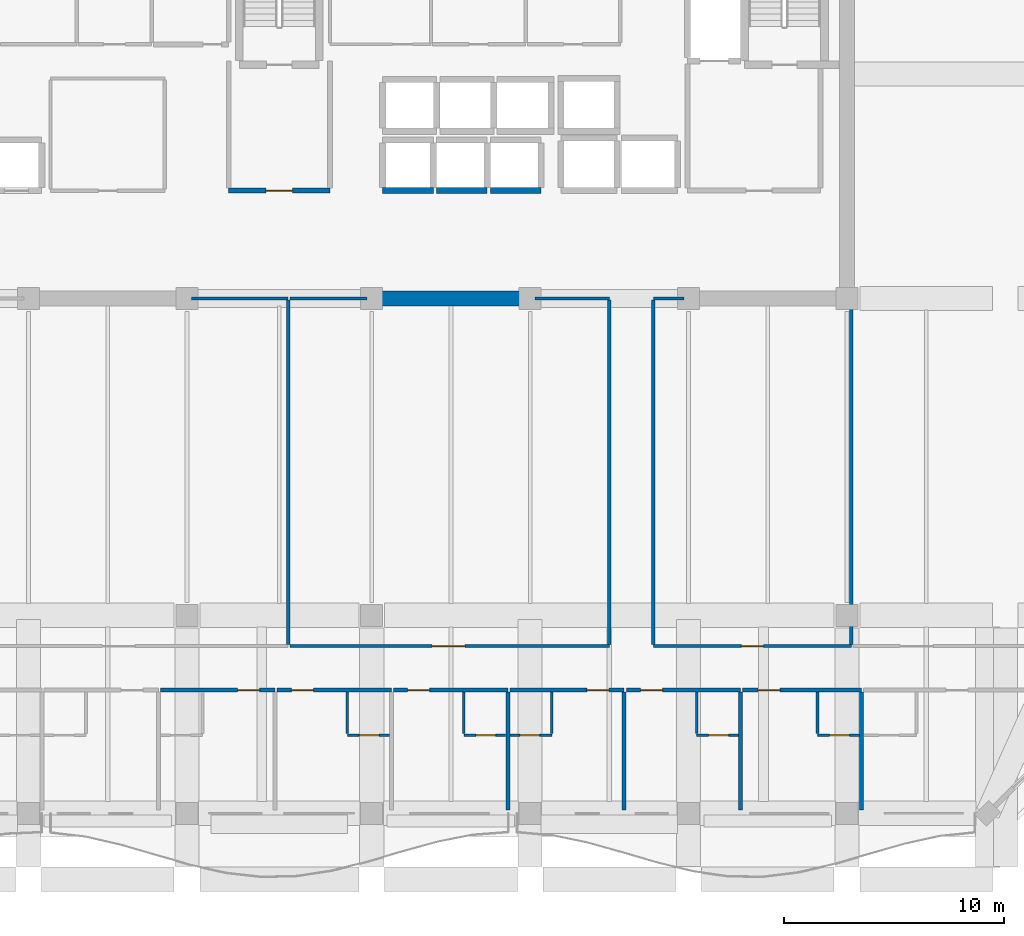
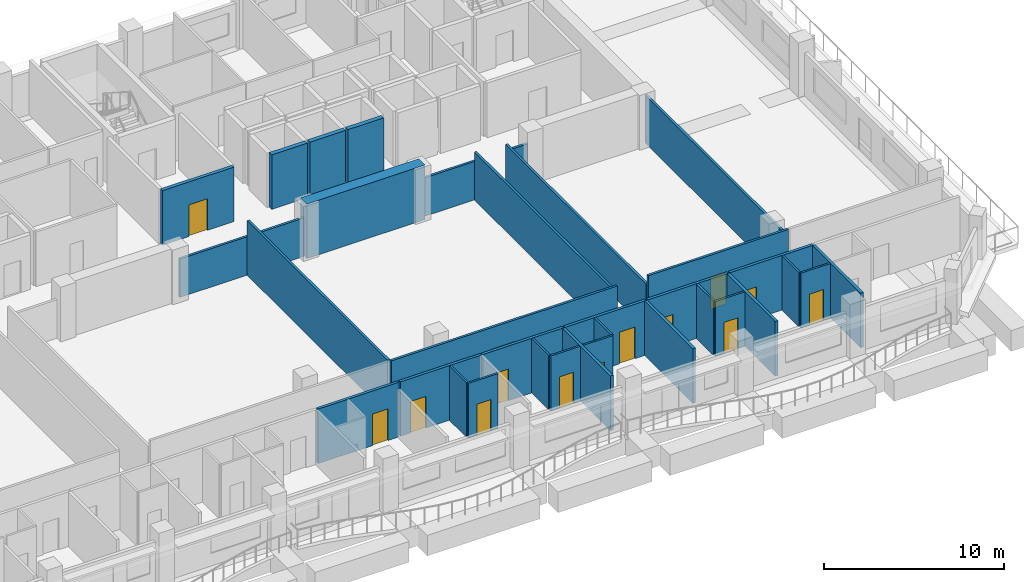
# One storey, part 6 of 13: 35 walls, 14 doors, 14 openings.
"""IFC4 building model written with IfcOpenShell, lengths in metres."""

from ifc_helpers import new_model, si_unit, direction, frame, frame_2d, origin, place, context, subcontext, project, spatial, rectangle, extrude, material, layer, layer_set, type_object, element, fill, save


model = new_model("IFC4")

# Units and contexts
model_context = context("Model", 3, precision=1e-05, world=origin(), true_north=direction((0.0, 1.0)))
body_context = subcontext(model_context, "Body", "Model", "MODEL_VIEW")
ifc_project = project(units=[si_unit("LENGTHUNIT", "METRE"), si_unit("AREAUNIT", "SQUARE_METRE"), si_unit("VOLUMEUNIT", "CUBIC_METRE"), si_unit("PLANEANGLEUNIT", "RADIAN"), si_unit("MASSUNIT", "GRAM", prefix="KILO")], contexts=[model_context])

# Site, building, storey
site_placement = place(None, origin())
site = spatial("IfcSite", under=ifc_project, at=site_placement, CompositionType="ELEMENT")
building_placement = place(site_placement, origin())
building = spatial("IfcBuilding", under=site, at=building_placement, Name="Kaelvorn Grand Hotel", CompositionType="ELEMENT")
storey_placement = place(building_placement, frame((0.0, 0.0, 229.14990234375)))
storey = spatial("IfcBuildingStorey", under=building, at=storey_placement, Name="L56", CompositionType="ELEMENT", Elevation=229.14990234375)

# Wall
ifc_material_1 = material(Name="Concrete C50/60", Category="concrete")
ifc_layer_1 = layer(ifc_material_1, 0.699951171875)
ifc_layer_set_1 = layer_set([ifc_layer_1], Name="Concrete C50/60")
wall_type_1 = type_object("IfcWallType", Name="WL-CORE-700-C50", PredefinedType="SHEAR", material=ifc_layer_set_1)
wall_1_placement = place(storey_placement, frame((46.0, 29.39990234375, 0.0), z_axis=(0.0, 0.0, 1.0), x_axis=(1.0, 0.0, 0.0)))
element("IfcWall", 1, at=wall_1_placement, inside=storey, type_object=wall_type_1, Name="L56 Rear-Core Coupled Shear Pier S3", PredefinedType="SHEAR", context=body_context, shape_type="SweptSolid", body=[
    extrude(rectangle(XDim=7.60009765625, YDim=0.699951171875, at=frame_2d((3.800048828125, 0.0))), origin(), (0.0, 0.0, 1.0), 3.710205078125),
])

# Wall, opening, door
ifc_material_2 = material(Name="Moisture-Resistant Tile & Stud Board")
ifc_layer_2 = layer(ifc_material_2, 0.125)
ifc_layer_set_2 = layer_set([ifc_layer_2], Name="Moisture-Resistant Tile & Stud Board")
wall_type_2 = type_object("IfcWallType", Name="WL-PART-125-WET", PredefinedType="PARTITIONING", material=ifc_layer_set_2)
wall_2_placement = place(storey_placement, frame((45.092041015625, 9.550048828125, 0.0), z_axis=(0.0, 0.0, 1.0), x_axis=(1.0, 0.0, 0.0)))
wall_2 = element("IfcWall", 2, at=wall_2_placement, inside=storey, type_object=wall_type_2, Name="L56 En-suite Bathroom L56-07 S Partition", PredefinedType="PARTITIONING", context=body_context, shape_type="SweptSolid", body=[
    extrude(rectangle(XDim=1.905029296875, YDim=0.125, at=frame_2d((0.95263671875, 0.0))), origin(), (0.0, 0.0, 1.0), 3.710205078125),
])
opening_1_placement = place(wall_2_placement, frame((0.550048828125, 0.0, 0.0)))
opening_1 = element("IfcOpeningElement", 3, at=opening_1_placement, cuts=wall_2, Name="Opening DI4", PredefinedType="OPENING", context=body_context, shape_type="SweptSolid", body=[
    extrude(rectangle(XDim=0.89990234375, YDim=2.10009765625, at=frame_2d((0.449951171875, 1.050048828125))), frame((0.0, 0.072509765625, 0.0), z_axis=(0.0, -1.0, 0.0), x_axis=(1.0, 0.0, 0.0)), (0.0, 0.0, 1.0), 0.14501953125),
])
ifc_material_3 = material(Name="Timber Veneer Leaf", Category="wood")
door_type_1 = type_object("IfcDoorType", Name="DR-INT-BATH-900x2100", OperationType="NOTDEFINED", PredefinedType="DOOR", material=ifc_material_3)
door_1_placement = place(opening_1_placement, origin())
door_1 = element("IfcDoor", 4, at=door_1_placement, inside=storey, type_object=door_type_1, Name="L56 En-suite Bathroom L56-07 Door", OperationType="SINGLE_SWING_RIGHT", OverallHeight=2.10009765625, OverallWidth=0.89990234375, PredefinedType="DOOR", context=body_context, shape_type="SweptSolid", body=[
    extrude(rectangle(XDim=0.89990234375, YDim=2.10009765625, at=frame_2d((0.449951171875, 1.050048828125))), frame((0.0, 0.02490234375, 0.0), z_axis=(0.0, -1.0, 0.0), x_axis=(1.0, 0.0, 0.0)), (0.0, 0.0, 1.0), 0.050048828125),
])
fill(opening_1, door_1)

# Wall
wall_3_placement = place(storey_placement, frame((45.092041015625, 9.617431640625, 0.0), z_axis=(0.0, 0.0, 1.0), x_axis=(0.0, 1.0, 0.0)))
element("IfcWall", 5, at=wall_3_placement, inside=storey, type_object=wall_type_2, Name="L56 En-suite Bathroom L56-07 W Partition", PredefinedType="PARTITIONING", context=body_context, shape_type="SweptSolid", body=[
    extrude(rectangle(XDim=1.887451171875, YDim=0.125, at=frame_2d((0.94384765625, 0.0))), origin(), (0.0, 0.0, 1.0), 3.710205078125),
])

# Wall, opening, door
wall_4_placement = place(storey_placement, frame((50.3837890625, 9.550048828125, 0.0), z_axis=(0.0, 0.0, 1.0), x_axis=(1.0, 0.0, 0.0)))
wall_4 = element("IfcWall", 6, at=wall_4_placement, inside=storey, type_object=wall_type_2, Name="L56 En-suite Bathroom L56-08 S Partition", PredefinedType="PARTITIONING", context=body_context, shape_type="SweptSolid", body=[
    extrude(rectangle(XDim=1.905029296875, YDim=0.125, at=frame_2d((0.95263671875, 0.0))), origin(), (0.0, 0.0, 1.0), 3.710205078125),
])
opening_2_placement = place(wall_4_placement, frame((0.550048828125, 0.0, 0.0)))
opening_2 = element("IfcOpeningElement", 7, at=opening_2_placement, cuts=wall_4, Name="Opening DI4", PredefinedType="OPENING", context=body_context, shape_type="SweptSolid", body=[
    extrude(rectangle(XDim=0.89990234375, YDim=2.10009765625, at=frame_2d((0.449951171875, 1.050048828125))), frame((0.0, 0.072509765625, 0.0), z_axis=(0.0, -1.0, 0.0), x_axis=(1.0, 0.0, 0.0)), (0.0, 0.0, 1.0), 0.14501953125),
])
door_2_placement = place(opening_2_placement, origin())
door_2 = element("IfcDoor", 8, at=door_2_placement, inside=storey, type_object=door_type_1, Name="L56 En-suite Bathroom L56-08 Door", OperationType="SINGLE_SWING_RIGHT", OverallHeight=2.10009765625, OverallWidth=0.89990234375, PredefinedType="DOOR", context=body_context, shape_type="SweptSolid", body=[
    extrude(rectangle(XDim=0.89990234375, YDim=2.10009765625, at=frame_2d((0.449951171875, 1.050048828125))), frame((0.0, 0.02490234375, 0.0), z_axis=(0.0, -1.0, 0.0), x_axis=(1.0, 0.0, 0.0)), (0.0, 0.0, 1.0), 0.050048828125),
])
fill(opening_2, door_2)

# Wall
wall_5_placement = place(storey_placement, frame((50.3837890625, 9.617431640625, 0.0), z_axis=(0.0, 0.0, 1.0), x_axis=(0.0, 1.0, 0.0)))
element("IfcWall", 9, at=wall_5_placement, inside=storey, type_object=wall_type_2, Name="L56 En-suite Bathroom L56-08 W Partition", PredefinedType="PARTITIONING", context=body_context, shape_type="SweptSolid", body=[
    extrude(rectangle(XDim=1.887451171875, YDim=0.125, at=frame_2d((0.94384765625, 0.0))), origin(), (0.0, 0.0, 1.0), 3.710205078125),
])

# Wall, opening, door
wall_6_placement = place(storey_placement, frame((52.478759765625, 9.550048828125, 0.0), z_axis=(0.0, 0.0, 1.0), x_axis=(1.0, 0.0, 0.0)))
wall_6 = element("IfcWall", 10, at=wall_6_placement, inside=storey, type_object=wall_type_2, Name="L56 En-suite Bathroom L56-09 S Partition", PredefinedType="PARTITIONING", context=body_context, shape_type="SweptSolid", body=[
    extrude(rectangle(XDim=1.905029296875, YDim=0.125, at=frame_2d((0.95263671875, 0.0))), origin(), (0.0, 0.0, 1.0), 3.710205078125),
])
opening_3_placement = place(wall_6_placement, frame((0.455078125, 0.0, 0.0)))
opening_3 = element("IfcOpeningElement", 11, at=opening_3_placement, cuts=wall_6, Name="Opening DI4", PredefinedType="OPENING", context=body_context, shape_type="SweptSolid", body=[
    extrude(rectangle(XDim=0.89990234375, YDim=2.10009765625, at=frame_2d((0.449951171875, 1.050048828125))), frame((0.0, 0.072509765625, 0.0), z_axis=(0.0, -1.0, 0.0), x_axis=(1.0, 0.0, 0.0)), (0.0, 0.0, 1.0), 0.14501953125),
])
door_3_placement = place(opening_3_placement, origin())
door_3 = element("IfcDoor", 12, at=door_3_placement, inside=storey, type_object=door_type_1, Name="L56 En-suite Bathroom L56-09 Door", OperationType="SINGLE_SWING_RIGHT", OverallHeight=2.10009765625, OverallWidth=0.89990234375, PredefinedType="DOOR", context=body_context, shape_type="SweptSolid", body=[
    extrude(rectangle(XDim=0.89990234375, YDim=2.10009765625, at=frame_2d((0.449951171875, 1.050048828125))), frame((0.0, 0.02490234375, 0.0), z_axis=(0.0, -1.0, 0.0), x_axis=(1.0, 0.0, 0.0)), (0.0, 0.0, 1.0), 0.050048828125),
])
fill(opening_3, door_3)

# Wall
wall_7_placement = place(storey_placement, frame((54.3837890625, 9.617431640625, 0.0), z_axis=(0.0, 0.0, 1.0), x_axis=(0.0, 1.0, 0.0)))
element("IfcWall", 13, at=wall_7_placement, inside=storey, type_object=wall_type_2, Name="L56 En-suite Bathroom L56-09 E Partition", PredefinedType="PARTITIONING", context=body_context, shape_type="SweptSolid", body=[
    extrude(rectangle(XDim=1.887451171875, YDim=0.125, at=frame_2d((0.94384765625, 0.0))), origin(), (0.0, 0.0, 1.0), 3.710205078125),
])

# Wall, opening, door
wall_8_placement = place(storey_placement, frame((60.96728515625, 9.550048828125, 0.0), z_axis=(0.0, 0.0, 1.0), x_axis=(1.0, 0.0, 0.0)))
wall_8 = element("IfcWall", 14, at=wall_8_placement, inside=storey, type_object=wall_type_2, Name="L56 En-suite Bathroom L56-10 S Partition", PredefinedType="PARTITIONING", context=body_context, shape_type="SweptSolid", body=[
    extrude(rectangle(XDim=1.905029296875, YDim=0.125, at=frame_2d((0.95263671875, 0.0))), origin(), (0.0, 0.0, 1.0), 3.710205078125),
])
opening_4_placement = place(wall_8_placement, frame((0.550048828125, 0.0, 0.0)))
opening_4 = element("IfcOpeningElement", 15, at=opening_4_placement, cuts=wall_8, Name="Opening DI4", PredefinedType="OPENING", context=body_context, shape_type="SweptSolid", body=[
    extrude(rectangle(XDim=0.89990234375, YDim=2.10009765625, at=frame_2d((0.449951171875, 1.050048828125))), frame((0.0, 0.072509765625, 0.0), z_axis=(0.0, -1.0, 0.0), x_axis=(1.0, 0.0, 0.0)), (0.0, 0.0, 1.0), 0.14501953125),
])
door_4_placement = place(opening_4_placement, origin())
door_4 = element("IfcDoor", 16, at=door_4_placement, inside=storey, type_object=door_type_1, Name="L56 En-suite Bathroom L56-10 Door", OperationType="SINGLE_SWING_RIGHT", OverallHeight=2.10009765625, OverallWidth=0.89990234375, PredefinedType="DOOR", context=body_context, shape_type="SweptSolid", body=[
    extrude(rectangle(XDim=0.89990234375, YDim=2.10009765625, at=frame_2d((0.449951171875, 1.050048828125))), frame((0.0, 0.02490234375, 0.0), z_axis=(0.0, -1.0, 0.0), x_axis=(1.0, 0.0, 0.0)), (0.0, 0.0, 1.0), 0.050048828125),
])
fill(opening_4, door_4)

# Wall
wall_9_placement = place(storey_placement, frame((60.96728515625, 9.617431640625, 0.0), z_axis=(0.0, 0.0, 1.0), x_axis=(0.0, 1.0, 0.0)))
element("IfcWall", 17, at=wall_9_placement, inside=storey, type_object=wall_type_2, Name="L56 En-suite Bathroom L56-10 W Partition", PredefinedType="PARTITIONING", context=body_context, shape_type="SweptSolid", body=[
    extrude(rectangle(XDim=1.887451171875, YDim=0.125, at=frame_2d((0.94384765625, 0.0))), origin(), (0.0, 0.0, 1.0), 3.710205078125),
])

# Wall, opening, door
wall_10_placement = place(storey_placement, frame((66.45849609375, 9.550048828125, 0.0), z_axis=(0.0, 0.0, 1.0), x_axis=(1.0, 0.0, 0.0)))
wall_10 = element("IfcWall", 18, at=wall_10_placement, inside=storey, type_object=wall_type_2, Name="L56 En-suite Bathroom L56-11 S Partition", PredefinedType="PARTITIONING", context=body_context, shape_type="SweptSolid", body=[
    extrude(rectangle(XDim=1.905029296875, YDim=0.125, at=frame_2d((0.95263671875, 0.0))), origin(), (0.0, 0.0, 1.0), 3.710205078125),
])
opening_5_placement = place(wall_10_placement, frame((0.550048828125, 0.0, 0.0)))
opening_5 = element("IfcOpeningElement", 19, at=opening_5_placement, cuts=wall_10, Name="Opening DI4", PredefinedType="OPENING", context=body_context, shape_type="SweptSolid", body=[
    extrude(rectangle(XDim=0.89990234375, YDim=2.10009765625, at=frame_2d((0.449951171875, 1.050048828125))), frame((0.0, 0.072509765625, 0.0), z_axis=(0.0, -1.0, 0.0), x_axis=(1.0, 0.0, 0.0)), (0.0, 0.0, 1.0), 0.14501953125),
])
door_5_placement = place(opening_5_placement, origin())
door_5 = element("IfcDoor", 20, at=door_5_placement, inside=storey, type_object=door_type_1, Name="L56 En-suite Bathroom L56-11 Door", OperationType="SINGLE_SWING_RIGHT", OverallHeight=2.10009765625, OverallWidth=0.89990234375, PredefinedType="DOOR", context=body_context, shape_type="SweptSolid", body=[
    extrude(rectangle(XDim=0.89990234375, YDim=2.10009765625, at=frame_2d((0.449951171875, 1.050048828125))), frame((0.0, 0.02490234375, 0.0), z_axis=(0.0, -1.0, 0.0), x_axis=(1.0, 0.0, 0.0)), (0.0, 0.0, 1.0), 0.050048828125),
])
fill(opening_5, door_5)

# Walls
wall_11_placement = place(storey_placement, frame((66.45849609375, 9.617431640625, 0.0), z_axis=(0.0, 0.0, 1.0), x_axis=(0.0, 1.0, 0.0)))
element("IfcWall", 21, at=wall_11_placement, inside=storey, type_object=wall_type_2, Name="L56 En-suite Bathroom L56-11 W Partition", PredefinedType="PARTITIONING", context=body_context, shape_type="SweptSolid", body=[
    extrude(rectangle(XDim=1.887451171875, YDim=0.125, at=frame_2d((0.94384765625, 0.0))), origin(), (0.0, 0.0, 1.0), 3.710205078125),
])
ifc_material_4 = material(Name="Acoustic Gypsum & Stud Partition")
ifc_layer_3 = layer(ifc_material_4, 0.14990234375)
ifc_layer_set_3 = layer_set([ifc_layer_3], Name="Acoustic Gypsum & Stud Partition")
wall_type_3 = type_object("IfcWallType", Name="WL-PART-150-EI60", PredefinedType="PARTITIONING", material=ifc_layer_set_3)
wall_12_placement = place(storey_placement, frame((38.010009765625, 29.39990234375, 0.0), z_axis=(0.0, 0.0, 1.0), x_axis=(1.0, 0.0, 0.0)))
element("IfcWall", 22, at=wall_12_placement, inside=storey, type_object=wall_type_3, Name="L56 Banquet Prep Kitchen N Partition (2)", PredefinedType="PARTITIONING", context=body_context, shape_type="SweptSolid", body=[
    extrude(rectangle(XDim=4.389892578125, YDim=0.14990234375, at=frame_2d((2.19482421875, 0.0))), origin(), (0.0, 0.0, 1.0), 2.610107421875),
])
wall_13_placement = place(storey_placement, frame((42.39990234375, 13.679931640625, 0.0), z_axis=(0.0, 0.0, 1.0), x_axis=(0.0, 1.0, 0.0)))
element("IfcWall", 23, at=wall_13_placement, inside=storey, type_object=wall_type_3, Name="L56 Banquet Prep Kitchen E Partition", PredefinedType="PARTITIONING", context=body_context, shape_type="SweptSolid", body=[
    extrude(rectangle(XDim=15.64013671875, YDim=0.14990234375, at=frame_2d((7.820068359375, 0.0))), origin(), (0.0, 0.0, 1.0), 3.710205078125),
])

# Wall, opening, door
wall_14_placement = place(storey_placement, frame((42.47998046875, 13.60009765625, 0.0), z_axis=(0.0, 0.0, 1.0), x_axis=(1.0, 0.0, 0.0)))
wall_14 = element("IfcWall", 24, at=wall_14_placement, inside=storey, type_object=wall_type_3, Name="L56 Board Meeting Room S Partition", PredefinedType="PARTITIONING", context=body_context, shape_type="SweptSolid", body=[
    extrude(rectangle(XDim=14.52001953125, YDim=0.14990234375, at=frame_2d((7.260009765625, 0.0))), origin(), (0.0, 0.0, 1.0), 3.710205078125),
])
opening_6_placement = place(wall_14_placement, frame((6.469970703125, 0.0, 0.0)))
opening_6 = element("IfcOpeningElement", 25, at=opening_6_placement, cuts=wall_14, Name="Opening DI5", PredefinedType="OPENING", context=body_context, shape_type="SweptSolid", body=[
    extrude(rectangle(XDim=1.5, YDim=2.25, at=frame_2d((0.75, 1.125))), frame((0.0, 0.0849609375, 0.0), z_axis=(0.0, -1.0, 0.0), x_axis=(1.0, 0.0, 0.0)), (0.0, 0.0, 1.0), 0.169921875),
])
ifc_material_5 = material(Name="Timber Veneer Fire Leaf", Category="wood")
door_type_2 = type_object("IfcDoorType", Name="DR-INT-SALON-1500x2250", OperationType="DOUBLE_DOOR_SINGLE_SWING", PredefinedType="DOOR", material=ifc_material_5)
door_6_placement = place(opening_6_placement, origin())
door_6 = element("IfcDoor", 26, at=door_6_placement, inside=storey, type_object=door_type_2, Name="L56 Board Meeting Room Door", OperationType="DOUBLE_DOOR_SINGLE_SWING", OverallHeight=2.25, OverallWidth=1.5, PredefinedType="DOOR", context=body_context, shape_type="SweptSolid", body=[
    extrude(rectangle(XDim=1.5, YDim=2.25, at=frame_2d((0.75, 1.125))), frame((0.0, 0.02490234375, 0.0), z_axis=(0.0, -1.0, 0.0), x_axis=(1.0, 0.0, 0.0)), (0.0, 0.0, 1.0), 0.050048828125),
])
fill(opening_6, door_6)

# Walls
wall_15_placement = place(storey_placement, frame((42.47998046875, 29.39990234375, 0.0), z_axis=(0.0, 0.0, 1.0), x_axis=(1.0, 0.0, 0.0)))
element("IfcWall", 27, at=wall_15_placement, inside=storey, type_object=wall_type_3, Name="L56 Board Meeting Room N Partition (1)", PredefinedType="PARTITIONING", context=body_context, shape_type="SweptSolid", body=[
    extrude(rectangle(XDim=3.510009765625, YDim=0.14990234375, at=frame_2d((1.7548828125, 0.0))), origin(), (0.0, 0.0, 1.0), 2.610107421875),
])
wall_16_placement = place(storey_placement, frame((53.610107421875, 29.39990234375, 0.0), z_axis=(0.0, 0.0, 1.0), x_axis=(1.0, 0.0, 0.0)))
element("IfcWall", 28, at=wall_16_placement, inside=storey, type_object=wall_type_3, Name="L56 Board Meeting Room N Partition (2)", PredefinedType="PARTITIONING", context=body_context, shape_type="SweptSolid", body=[
    extrude(rectangle(XDim=3.389892578125, YDim=0.14990234375, at=frame_2d((1.69482421875, 0.0))), origin(), (0.0, 0.0, 1.0), 2.610107421875),
])
wall_17_placement = place(storey_placement, frame((57.0, 13.679931640625, 0.0), z_axis=(0.0, 0.0, 1.0), x_axis=(0.0, 1.0, 0.0)))
element("IfcWall", 29, at=wall_17_placement, inside=storey, type_object=wall_type_3, Name="L56 Board Meeting Room E Partition", PredefinedType="PARTITIONING", context=body_context, shape_type="SweptSolid", body=[
    extrude(rectangle(XDim=15.64013671875, YDim=0.14990234375, at=frame_2d((7.820068359375, 0.0))), origin(), (0.0, 0.0, 1.0), 3.260009765625),
])

# Wall, opening, door
wall_18_placement = place(storey_placement, frame((59.0, 13.60009765625, 0.0), z_axis=(0.0, 0.0, 1.0), x_axis=(1.0, 0.0, 0.0)))
wall_18 = element("IfcWall", 30, at=wall_18_placement, inside=storey, type_object=wall_type_3, Name="L56 Diplomatic Chancery Office S Partition", PredefinedType="PARTITIONING", context=body_context, shape_type="SweptSolid", body=[
    extrude(rectangle(XDim=9.0, YDim=0.14990234375, at=frame_2d((4.5, 0.0))), origin(), (0.0, 0.0, 1.0), 3.710205078125),
])
opening_7_placement = place(wall_18_placement, frame((4.0, 0.0, 0.0)))
opening_7 = element("IfcOpeningElement", 31, at=opening_7_placement, cuts=wall_18, Name="Opening DI3", PredefinedType="OPENING", context=body_context, shape_type="SweptSolid", body=[
    extrude(rectangle(XDim=1.0, YDim=2.14990234375, at=frame_2d((0.5, 1.074951171875))), frame((0.0, 0.0849609375, 0.0), z_axis=(0.0, -1.0, 0.0), x_axis=(1.0, 0.0, 0.0)), (0.0, 0.0, 1.0), 0.169921875),
])
door_type_3 = type_object("IfcDoorType", Name="DR-INT-GUEST-1000x2150", OperationType="NOTDEFINED", PredefinedType="DOOR", material=ifc_material_5)
door_7_placement = place(opening_7_placement, origin())
door_7 = element("IfcDoor", 32, at=door_7_placement, inside=storey, type_object=door_type_3, Name="L56 Diplomatic Chancery Office Door", OperationType="SINGLE_SWING_RIGHT", OverallHeight=2.14990234375, OverallWidth=1.0, PredefinedType="DOOR", context=body_context, shape_type="SweptSolid", body=[
    extrude(rectangle(XDim=1.0, YDim=2.14990234375, at=frame_2d((0.5, 1.074951171875))), frame((0.0, 0.02490234375, 0.0), z_axis=(0.0, -1.0, 0.0), x_axis=(1.0, 0.0, 0.0)), (0.0, 0.0, 1.0), 0.050048828125),
])
fill(opening_7, door_7)

# Walls
wall_19_placement = place(storey_placement, frame((59.0, 29.39990234375, 0.0), z_axis=(0.0, 0.0, 1.0), x_axis=(1.0, 0.0, 0.0)))
element("IfcWall", 33, at=wall_19_placement, inside=storey, type_object=wall_type_3, Name="L56 Diplomatic Chancery Office N Partition", PredefinedType="PARTITIONING", context=body_context, shape_type="SweptSolid", body=[
    extrude(rectangle(XDim=1.389892578125, YDim=0.14990234375, at=frame_2d((0.69482421875, 0.0))), origin(), (0.0, 0.0, 1.0), 2.610107421875),
])
wall_20_placement = place(storey_placement, frame((59.0, 13.679931640625, 0.0), z_axis=(0.0, 0.0, 1.0), x_axis=(0.0, 1.0, 0.0)))
element("IfcWall", 34, at=wall_20_placement, inside=storey, type_object=wall_type_3, Name="L56 Diplomatic Chancery Office W Partition", PredefinedType="PARTITIONING", context=body_context, shape_type="SweptSolid", body=[
    extrude(rectangle(XDim=15.64013671875, YDim=0.14990234375, at=frame_2d((7.820068359375, 0.0))), origin(), (0.0, 0.0, 1.0), 3.080078125),
])
wall_21_placement = place(storey_placement, frame((68.0, 13.679931640625, 0.0), z_axis=(0.0, 0.0, 1.0), x_axis=(0.0, 1.0, 0.0)))
element("IfcWall", 35, at=wall_21_placement, inside=storey, type_object=wall_type_3, Name="L56 Diplomatic Chancery Office E Partition", PredefinedType="PARTITIONING", context=body_context, shape_type="SweptSolid", body=[
    extrude(rectangle(XDim=15.7099609375, YDim=0.14990234375, at=frame_2d((7.85498046875, 0.0))), origin(), (0.0, 0.0, 1.0), 3.260009765625),
])

# Wall, opening, door
ifc_layer_4 = layer(ifc_material_4, 0.179931640625)
ifc_layer_set_4 = layer_set([ifc_layer_4], Name="Acoustic Gypsum & Stud Partition")
wall_type_4 = type_object("IfcWallType", Name="WL-PART-180-EI60", PredefinedType="PARTITIONING", material=ifc_layer_set_4)
wall_22_placement = place(storey_placement, frame((36.603515625, 11.60009765625, 0.0), z_axis=(0.0, 0.0, 1.0), x_axis=(1.0, 0.0, 0.0)))
wall_22 = element("IfcWall", 36, at=wall_22_placement, inside=storey, type_object=wall_type_4, Name="L56 Ambassador Guest Room L56-06 N Partition", PredefinedType="PARTITIONING", context=body_context, shape_type="SweptSolid", body=[
    extrude(rectangle(XDim=5.19677734375, YDim=0.179931640625, at=frame_2d((2.598388671875, 0.0))), origin(), (0.0, 0.0, 1.0), 3.710205078125),
])
opening_8_placement = place(wall_22_placement, frame((3.500732421875, 0.0, 0.0)))
opening_8 = element("IfcOpeningElement", 37, at=opening_8_placement, cuts=wall_22, Name="Opening DI3", PredefinedType="OPENING", context=body_context, shape_type="SweptSolid", body=[
    extrude(rectangle(XDim=1.0, YDim=2.14990234375, at=frame_2d((0.5, 1.074951171875))), frame((0.0, 0.10009765625, 0.0), z_axis=(0.0, -1.0, 0.0), x_axis=(1.0, 0.0, 0.0)), (0.0, 0.0, 1.0), 0.199951171875),
])
door_8_placement = place(opening_8_placement, origin())
door_8 = element("IfcDoor", 38, at=door_8_placement, inside=storey, type_object=door_type_3, Name="L56 Ambassador Guest Room L56-06 Door", OperationType="SINGLE_SWING_LEFT", OverallHeight=2.14990234375, OverallWidth=1.0, PredefinedType="DOOR", context=body_context, shape_type="SweptSolid", body=[
    extrude(rectangle(XDim=1.0, YDim=2.14990234375, at=frame_2d((0.5, 1.074951171875))), frame((0.0, 0.02490234375, 0.0), z_axis=(0.0, -1.0, 0.0), x_axis=(1.0, 0.0, 0.0)), (0.0, 0.0, 1.0), 0.050048828125),
])
fill(opening_8, door_8)

wall_23_placement = place(storey_placement, frame((41.895263671875, 11.60009765625, 0.0), z_axis=(0.0, 0.0, 1.0), x_axis=(1.0, 0.0, 0.0)))
wall_23 = element("IfcWall", 39, at=wall_23_placement, inside=storey, type_object=wall_type_4, Name="L56 Ambassador Sky Suite L56-07 N Partition", PredefinedType="PARTITIONING", context=body_context, shape_type="SweptSolid", body=[
    extrude(rectangle(XDim=5.19677734375, YDim=0.179931640625, at=frame_2d((2.598388671875, 0.0))), origin(), (0.0, 0.0, 1.0), 3.710205078125),
])
opening_9_placement = place(wall_23_placement, frame((0.64990234375, 0.0, 0.0)))
opening_9 = element("IfcOpeningElement", 40, at=opening_9_placement, cuts=wall_23, Name="Opening DI3", PredefinedType="OPENING", context=body_context, shape_type="SweptSolid", body=[
    extrude(rectangle(XDim=1.0, YDim=2.14990234375, at=frame_2d((0.5, 1.074951171875))), frame((0.0, 0.10009765625, 0.0), z_axis=(0.0, -1.0, 0.0), x_axis=(1.0, 0.0, 0.0)), (0.0, 0.0, 1.0), 0.199951171875),
])
door_9_placement = place(opening_9_placement, origin())
door_9 = element("IfcDoor", 41, at=door_9_placement, inside=storey, type_object=door_type_3, Name="L56 Ambassador Sky Suite L56-07 Door", OperationType="SINGLE_SWING_LEFT", OverallHeight=2.14990234375, OverallWidth=1.0, PredefinedType="DOOR", context=body_context, shape_type="SweptSolid", body=[
    extrude(rectangle(XDim=1.0, YDim=2.14990234375, at=frame_2d((0.5, 1.074951171875))), frame((0.0, 0.02490234375, 0.0), z_axis=(0.0, -1.0, 0.0), x_axis=(1.0, 0.0, 0.0)), (0.0, 0.0, 1.0), 0.050048828125),
])
fill(opening_9, door_9)

wall_24_placement = place(storey_placement, frame((47.18701171875, 11.60009765625, 0.0), z_axis=(0.0, 0.0, 1.0), x_axis=(1.0, 0.0, 0.0)))
wall_24 = element("IfcWall", 42, at=wall_24_placement, inside=storey, type_object=wall_type_4, Name="L56 Ambassador Guest Room L56-08 N Partition", PredefinedType="PARTITIONING", context=body_context, shape_type="SweptSolid", body=[
    extrude(rectangle(XDim=5.19677734375, YDim=0.179931640625, at=frame_2d((2.598388671875, 0.0))), origin(), (0.0, 0.0, 1.0), 3.710205078125),
])
opening_10_placement = place(wall_24_placement, frame((0.64990234375, 0.0, 0.0)))
opening_10 = element("IfcOpeningElement", 43, at=opening_10_placement, cuts=wall_24, Name="Opening DI3", PredefinedType="OPENING", context=body_context, shape_type="SweptSolid", body=[
    extrude(rectangle(XDim=1.0, YDim=2.14990234375, at=frame_2d((0.5, 1.074951171875))), frame((0.0, 0.10009765625, 0.0), z_axis=(0.0, -1.0, 0.0), x_axis=(1.0, 0.0, 0.0)), (0.0, 0.0, 1.0), 0.199951171875),
])
door_10_placement = place(opening_10_placement, origin())
door_10 = element("IfcDoor", 44, at=door_10_placement, inside=storey, type_object=door_type_3, Name="L56 Ambassador Guest Room L56-08 Door", OperationType="SINGLE_SWING_LEFT", OverallHeight=2.14990234375, OverallWidth=1.0, PredefinedType="DOOR", context=body_context, shape_type="SweptSolid", body=[
    extrude(rectangle(XDim=1.0, YDim=2.14990234375, at=frame_2d((0.5, 1.074951171875))), frame((0.0, 0.02490234375, 0.0), z_axis=(0.0, -1.0, 0.0), x_axis=(1.0, 0.0, 0.0)), (0.0, 0.0, 1.0), 0.050048828125),
])
fill(opening_10, door_10)

# Wall
wall_25_placement = place(storey_placement, frame((52.3837890625, 6.14990234375, 0.0), z_axis=(0.0, 0.0, 1.0), x_axis=(0.0, 1.0, 0.0)))
element("IfcWall", 45, at=wall_25_placement, inside=storey, type_object=wall_type_4, Name="L56 Ambassador Guest Room L56-08 E Partition", PredefinedType="PARTITIONING", context=body_context, shape_type="SweptSolid", body=[
    extrude(rectangle(XDim=5.35498046875, YDim=0.179931640625, at=frame_2d((2.677490234375, 0.0))), origin(), (0.0, 0.0, 1.0), 3.710205078125),
])

# Wall, opening, door
wall_26_placement = place(storey_placement, frame((52.478759765625, 11.60009765625, 0.0), z_axis=(0.0, 0.0, 1.0), x_axis=(1.0, 0.0, 0.0)))
wall_26 = element("IfcWall", 46, at=wall_26_placement, inside=storey, type_object=wall_type_4, Name="L56 Ambassador Sky Suite L56-09 N Partition", PredefinedType="PARTITIONING", context=body_context, shape_type="SweptSolid", body=[
    extrude(rectangle(XDim=5.19677734375, YDim=0.179931640625, at=frame_2d((2.598388671875, 0.0))), origin(), (0.0, 0.0, 1.0), 3.710205078125),
])
opening_11_placement = place(wall_26_placement, frame((3.500732421875, 0.0, 0.0)))
opening_11 = element("IfcOpeningElement", 47, at=opening_11_placement, cuts=wall_26, Name="Opening DI3", PredefinedType="OPENING", context=body_context, shape_type="SweptSolid", body=[
    extrude(rectangle(XDim=1.0, YDim=2.14990234375, at=frame_2d((0.5, 1.074951171875))), frame((0.0, 0.10009765625, 0.0), z_axis=(0.0, -1.0, 0.0), x_axis=(1.0, 0.0, 0.0)), (0.0, 0.0, 1.0), 0.199951171875),
])
door_11_placement = place(opening_11_placement, origin())
door_11 = element("IfcDoor", 48, at=door_11_placement, inside=storey, type_object=door_type_3, Name="L56 Ambassador Sky Suite L56-09 Door", OperationType="SINGLE_SWING_LEFT", OverallHeight=2.14990234375, OverallWidth=1.0, PredefinedType="DOOR", context=body_context, shape_type="SweptSolid", body=[
    extrude(rectangle(XDim=1.0, YDim=2.14990234375, at=frame_2d((0.5, 1.074951171875))), frame((0.0, 0.02490234375, 0.0), z_axis=(0.0, -1.0, 0.0), x_axis=(1.0, 0.0, 0.0)), (0.0, 0.0, 1.0), 0.050048828125),
])
fill(opening_11, door_11)

# Wall
wall_27_placement = place(storey_placement, frame((57.675537109375, 6.14990234375, 0.0), z_axis=(0.0, 0.0, 1.0), x_axis=(0.0, 1.0, 0.0)))
element("IfcWall", 49, at=wall_27_placement, inside=storey, type_object=wall_type_4, Name="L56 Ambassador Sky Suite L56-09 E Partition", PredefinedType="PARTITIONING", context=body_context, shape_type="SweptSolid", body=[
    extrude(rectangle(XDim=5.35498046875, YDim=0.179931640625, at=frame_2d((2.677490234375, 0.0))), origin(), (0.0, 0.0, 1.0), 3.710205078125),
])

# Wall, opening, door
wall_28_placement = place(storey_placement, frame((57.7705078125, 11.60009765625, 0.0), z_axis=(0.0, 0.0, 1.0), x_axis=(1.0, 0.0, 0.0)))
wall_28 = element("IfcWall", 50, at=wall_28_placement, inside=storey, type_object=wall_type_4, Name="L56 Ambassador Guest Room L56-10 N Partition", PredefinedType="PARTITIONING", context=body_context, shape_type="SweptSolid", body=[
    extrude(rectangle(XDim=5.19677734375, YDim=0.179931640625, at=frame_2d((2.598388671875, 0.0))), origin(), (0.0, 0.0, 1.0), 3.710205078125),
])
opening_12_placement = place(wall_28_placement, frame((0.64990234375, 0.0, 0.0)))
opening_12 = element("IfcOpeningElement", 51, at=opening_12_placement, cuts=wall_28, Name="Opening DI3", PredefinedType="OPENING", context=body_context, shape_type="SweptSolid", body=[
    extrude(rectangle(XDim=1.0, YDim=2.14990234375, at=frame_2d((0.5, 1.074951171875))), frame((0.0, 0.10009765625, 0.0), z_axis=(0.0, -1.0, 0.0), x_axis=(1.0, 0.0, 0.0)), (0.0, 0.0, 1.0), 0.199951171875),
])
door_12_placement = place(opening_12_placement, origin())
door_12 = element("IfcDoor", 52, at=door_12_placement, inside=storey, type_object=door_type_3, Name="L56 Ambassador Guest Room L56-10 Door", OperationType="SINGLE_SWING_LEFT", OverallHeight=2.14990234375, OverallWidth=1.0, PredefinedType="DOOR", context=body_context, shape_type="SweptSolid", body=[
    extrude(rectangle(XDim=1.0, YDim=2.14990234375, at=frame_2d((0.5, 1.074951171875))), frame((0.0, 0.02490234375, 0.0), z_axis=(0.0, -1.0, 0.0), x_axis=(1.0, 0.0, 0.0)), (0.0, 0.0, 1.0), 0.050048828125),
])
fill(opening_12, door_12)

# Wall
wall_29_placement = place(storey_placement, frame((62.96728515625, 6.14990234375, 0.0), z_axis=(0.0, 0.0, 1.0), x_axis=(0.0, 1.0, 0.0)))
element("IfcWall", 53, at=wall_29_placement, inside=storey, type_object=wall_type_4, Name="L56 Ambassador Guest Room L56-10 E Partition", PredefinedType="PARTITIONING", context=body_context, shape_type="SweptSolid", body=[
    extrude(rectangle(XDim=5.35498046875, YDim=0.179931640625, at=frame_2d((2.677490234375, 0.0))), origin(), (0.0, 0.0, 1.0), 3.710205078125),
])

# Wall, opening, door
wall_30_placement = place(storey_placement, frame((63.062255859375, 11.60009765625, 0.0), z_axis=(0.0, 0.0, 1.0), x_axis=(1.0, 0.0, 0.0)))
wall_30 = element("IfcWall", 54, at=wall_30_placement, inside=storey, type_object=wall_type_4, Name="L56 Ambassador Sky Suite L56-11 N Partition", PredefinedType="PARTITIONING", context=body_context, shape_type="SweptSolid", body=[
    extrude(rectangle(XDim=5.396240234375, YDim=0.179931640625, at=frame_2d((2.6982421875, 0.0))), origin(), (0.0, 0.0, 1.0), 3.710205078125),
])
opening_13_placement = place(wall_30_placement, frame((0.70068359375, 0.0, 0.0)))
opening_13 = element("IfcOpeningElement", 55, at=opening_13_placement, cuts=wall_30, Name="Opening DI3", PredefinedType="OPENING", context=body_context, shape_type="SweptSolid", body=[
    extrude(rectangle(XDim=1.0, YDim=2.14990234375, at=frame_2d((0.5, 1.074951171875))), frame((0.0, 0.10009765625, 0.0), z_axis=(0.0, -1.0, 0.0), x_axis=(1.0, 0.0, 0.0)), (0.0, 0.0, 1.0), 0.199951171875),
])
door_13_placement = place(opening_13_placement, origin())
door_13 = element("IfcDoor", 56, at=door_13_placement, inside=storey, type_object=door_type_3, Name="L56 Ambassador Sky Suite L56-11 Door", OperationType="SINGLE_SWING_LEFT", OverallHeight=2.14990234375, OverallWidth=1.0, PredefinedType="DOOR", context=body_context, shape_type="SweptSolid", body=[
    extrude(rectangle(XDim=1.0, YDim=2.14990234375, at=frame_2d((0.5, 1.074951171875))), frame((0.0, 0.02490234375, 0.0), z_axis=(0.0, -1.0, 0.0), x_axis=(1.0, 0.0, 0.0)), (0.0, 0.0, 1.0), 0.050048828125),
])
fill(opening_13, door_13)

# Wall
wall_31_placement = place(storey_placement, frame((68.45849609375, 6.14990234375, 0.0), z_axis=(0.0, 0.0, 1.0), x_axis=(0.0, 1.0, 0.0)))
element("IfcWall", 57, at=wall_31_placement, inside=storey, type_object=wall_type_4, Name="L56 Ambassador Sky Suite L56-11 E Partition", PredefinedType="PARTITIONING", context=body_context, shape_type="SweptSolid", body=[
    extrude(rectangle(XDim=5.35498046875, YDim=0.179931640625, at=frame_2d((2.677490234375, 0.0))), origin(), (0.0, 0.0, 1.0), 3.710205078125),
])

# Wall, opening, door
ifc_material_6 = material(Name="Concrete C40/50", Category="concrete")
ifc_layer_5 = layer(ifc_material_6, 0.219970703125)
ifc_layer_set_5 = layer_set([ifc_layer_5], Name="Concrete C40/50")
wall_type_5 = type_object("IfcWallType", Name="WL-PART-220-EI120", PredefinedType="PARTITIONING", material=ifc_layer_set_5)
wall_32_placement = place(storey_placement, frame((39.699951171875, 34.300048828125, 0.0), z_axis=(0.0, 0.0, 1.0), x_axis=(1.0, 0.0, 0.0)))
wall_32 = element("IfcWall", 58, at=wall_32_placement, inside=storey, type_object=wall_type_5, Name="L56 Central Stair Escape Vestibule S Partition", PredefinedType="PARTITIONING", context=body_context, shape_type="SweptSolid", body=[
    extrude(rectangle(XDim=4.60009765625, YDim=0.219970703125, at=frame_2d((2.300048828125, 0.0))), origin(), (0.0, 0.0, 1.0), 3.710205078125),
])
opening_14_placement = place(wall_32_placement, frame((1.699951171875, 0.0, 0.0)))
opening_14 = element("IfcOpeningElement", 59, at=opening_14_placement, cuts=wall_32, Name="Opening DI2", PredefinedType="OPENING", context=body_context, shape_type="SweptSolid", body=[
    extrude(rectangle(XDim=1.199951171875, YDim=2.14990234375, at=frame_2d((0.60009765625, 1.074951171875))), frame((0.0, 0.1201171875, 0.0), z_axis=(0.0, -1.0, 0.0), x_axis=(1.0, 0.0, 0.0)), (0.0, 0.0, 1.0), 0.239990234375),
])
door_type_4 = type_object("IfcDoorType", Name="DR-INT-FFLOB-1200x2150", OperationType="NOTDEFINED", PredefinedType="DOOR", material=ifc_material_5)
door_14_placement = place(opening_14_placement, origin())
door_14 = element("IfcDoor", 60, at=door_14_placement, inside=storey, type_object=door_type_4, Name="L56 Central Stair Escape Vestibule Door", OperationType="SINGLE_SWING_RIGHT", OverallHeight=2.14990234375, OverallWidth=1.199951171875, PredefinedType="DOOR", context=body_context, shape_type="SweptSolid", body=[
    extrude(rectangle(XDim=1.199951171875, YDim=2.14990234375, at=frame_2d((0.60009765625, 1.074951171875))), frame((0.0, 0.02490234375, 0.0), z_axis=(0.0, -1.0, 0.0), x_axis=(1.0, 0.0, 0.0)), (0.0, 0.0, 1.0), 0.050048828125),
])
fill(opening_14, door_14)

# Walls
ifc_layer_6 = layer(ifc_material_1, 0.280029296875)
ifc_layer_set_6 = layer_set([ifc_layer_6], Name="Concrete C50/60")
wall_type_6 = type_object("IfcWallType", Name="WL-SHAFT-280-C50", PredefinedType="SHEAR", material=ifc_layer_set_6)
for number, where, z_axis, x_axis, name in (
    (61, (46.699951171875, 34.300048828125, 0.0), (0.0, 0.0, 1.0), (1.0, 0.0, 0.0), "L56 Lift PL-M1 Shaft South Wall"),
    (62, (49.14990234375, 34.300048828125, 0.0), (0.0, 0.0, 1.0), (1.0, 0.0, 0.0), "L56 Lift PL-M2 Shaft South Wall"),
):
    element("IfcWall", number, at=place(storey_placement, frame(where, z_axis=z_axis, x_axis=x_axis)), inside=storey, type_object=wall_type_6, Name=name, PredefinedType="SHEAR", context=body_context, shape_type="SweptSolid", body=[
        extrude(rectangle(XDim=2.300048828125, YDim=0.280029296875, at=frame_2d((1.14990234375, 0.0))), origin(), (0.0, 0.0, 1.0), 3.710205078125),
    ])
wall_33_placement = place(storey_placement, frame((51.60009765625, 34.300048828125, 0.0), z_axis=(0.0, 0.0, 1.0), x_axis=(1.0, 0.0, 0.0)))
element("IfcWall", 63, at=wall_33_placement, inside=storey, type_object=wall_type_6, Name="L56 Lift PL-M3 Shaft South Wall", PredefinedType="SHEAR", context=body_context, shape_type="SweptSolid", body=[
    extrude(rectangle(XDim=2.2998046875, YDim=0.280029296875, at=frame_2d((1.14990234375, 0.0))), origin(), (0.0, 0.0, 1.0), 3.710205078125),
])

save(model, "model.ifc")
